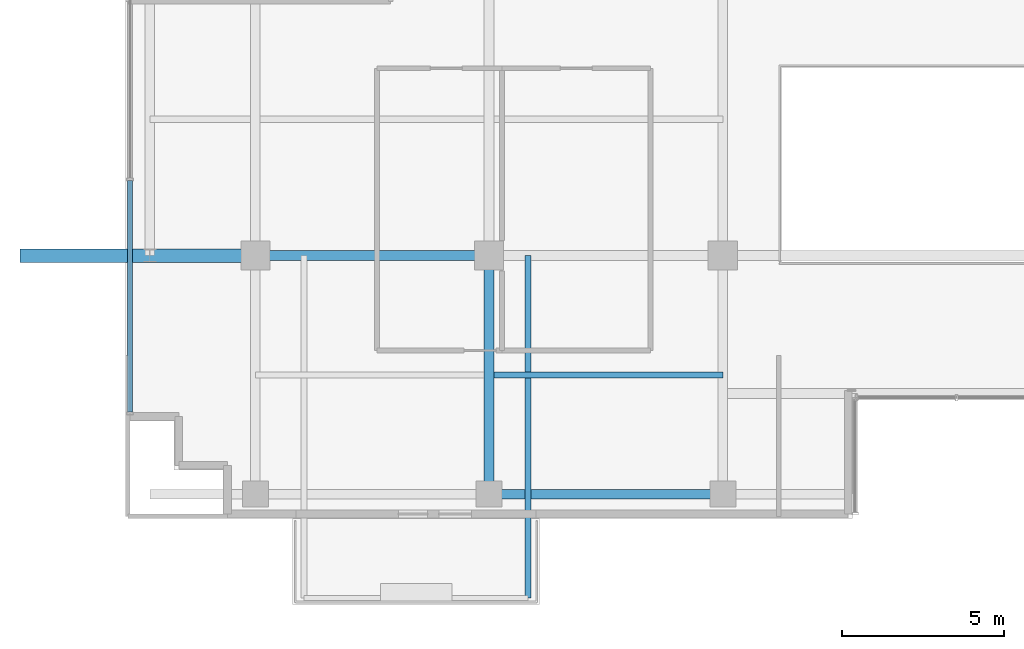
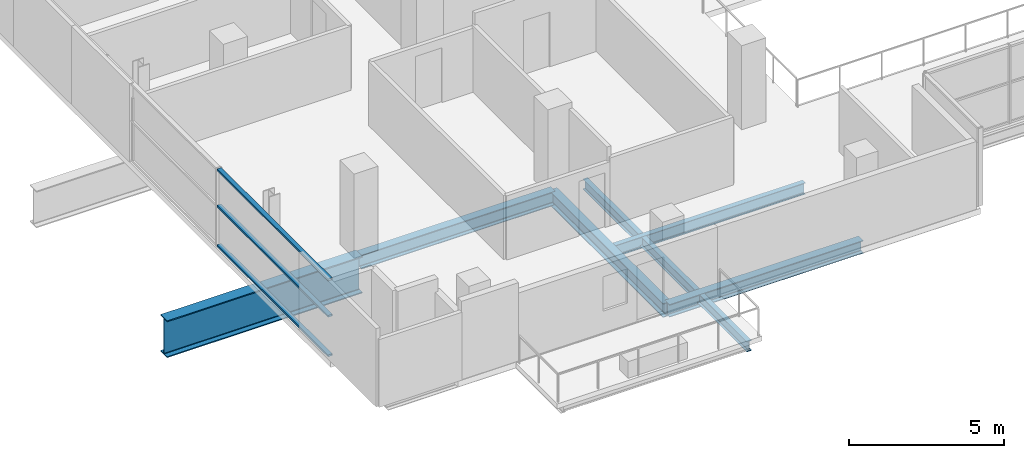
# One storey, part 3 of 27: 6 beams, 3 members, 1 element without a shape of its own.
"""IFC4 building model written with IfcOpenShell, lengths in metres."""

from ifc_helpers import new_model, si_unit, direction, frame, origin, origin_2d, place, context, subcontext, project, spatial, hollow_rectangle, i_section, extrude, source, transform, mapped, material, layer, layer_set, material_profile, profile_set, type_object, element, aggregate, save


model = new_model("IFC4")

# Units and contexts
model_context = context("Model", 3, precision=1e-05, world=origin(), true_north=direction((0.0, 1.0)))
body_context = subcontext(model_context, "Body", "Model", "MODEL_VIEW")
ifc_project = project(units=[si_unit("LENGTHUNIT", "METRE"), si_unit("AREAUNIT", "SQUARE_METRE"), si_unit("VOLUMEUNIT", "CUBIC_METRE"), si_unit("PLANEANGLEUNIT", "RADIAN"), si_unit("MASSUNIT", "GRAM", prefix="KILO")], contexts=[model_context])

# Site, building, storey
site_placement = place(None, origin())
site = spatial("IfcSite", under=ifc_project, at=site_placement, CompositionType="ELEMENT")
building_placement = place(site_placement, origin())
building = spatial("IfcBuilding", under=site, at=building_placement, Name="Zarnakvel Exchange Tower", CompositionType="ELEMENT")
storey_placement = place(building_placement, frame((0.0, 0.0, 113.199951171875)))
storey = spatial("IfcBuildingStorey", under=building, at=storey_placement, Name="L31", CompositionType="ELEMENT", Elevation=113.199951171875)

# Beams
ifc_material_1 = material(Name="Steel S355", Category="steel")
ifc_material_profile_1 = material_profile(ifc_material_1, i_section(OverallWidth=0.18994140625, OverallDepth=0.449951171875, WebThickness=0.009521484375, FlangeThickness=0.0146484375, FilletRadius=0.02099609375, at=origin_2d()))
ifc_profile_set_1 = profile_set([ifc_material_profile_1], Name="Steel S355")
beam_type_1 = type_object("IfcBeamType", Name="B-05", PredefinedType="JOIST", material=ifc_profile_set_1)
beam_1_placement = place(storey_placement, frame((-14.25, -13.27490234375, -0.449951171875), z_axis=(1.0, 0.0, 0.0), x_axis=(0.0, 1.0, 0.0)))
element("IfcBeam", 1, at=beam_1_placement, inside=storey, type_object=beam_type_1, Name="L31 Composite Floor Secondary Joist", PredefinedType="JOIST", context=body_context, shape_type="SweptSolid", body=[
    extrude(i_section(OverallWidth=0.18994140625, OverallDepth=0.449951171875, WebThickness=0.009521484375, FlangeThickness=0.0146484375, FilletRadius=0.02099609375, at=origin_2d()), origin(), (0.0, 0.0, 1.0), 7.050048828125),
])
ifc_material_profile_2 = material_profile(ifc_material_1, i_section(OverallWidth=0.179931640625, OverallDepth=0.39990234375, WebThickness=0.008544921875, FlangeThickness=0.013427734375, FilletRadius=0.02099609375, at=origin_2d()))
ifc_profile_set_2 = profile_set([ifc_material_profile_2], Name="Steel S355")
beam_type_2 = type_object("IfcBeamType", Name="B-06", PredefinedType="JOIST", material=ifc_profile_set_2)
beam_2_placement = place(storey_placement, frame((-13.199951171875, -9.60009765625, -0.425048828125), z_axis=(0.0, -1.0, 0.0), x_axis=(1.0, 0.0, 0.0)))
element("IfcBeam", 2, at=beam_2_placement, inside=storey, type_object=beam_type_2, Name="L31 Continuous Back-Spanned Balcony Beam E", PredefinedType="JOIST", context=body_context, shape_type="SweptSolid", body=[
    extrude(i_section(OverallWidth=0.179931640625, OverallDepth=0.39990234375, WebThickness=0.008544921875, FlangeThickness=0.013427734375, FilletRadius=0.02099609375, at=origin_2d()), origin(), (0.0, 0.0, 1.0), 10.5498046875),
])
ifc_material_profile_3 = material_profile(ifc_material_1, i_section(OverallWidth=0.300048828125, OverallDepth=0.550048828125, WebThickness=0.014892578125, FlangeThickness=0.029052734375, FilletRadius=0.027099609375, at=origin_2d()))
ifc_profile_set_3 = profile_set([ifc_material_profile_3], Name="Steel S355")
beam_type_3 = type_object("IfcBeamType", Name="G-05", PredefinedType="BEAM", material=ifc_profile_set_3)
beam_3_placement = place(storey_placement, frame((-21.60009765625, -9.60009765625, -0.5), z_axis=(1.0, 0.0, 0.0), x_axis=(0.0, 1.0, 0.0)))
element("IfcBeam", 3, at=beam_3_placement, inside=storey, type_object=beam_type_3, Name="L31 Tower E-W Frame Beam", PredefinedType="BEAM", context=body_context, shape_type="SweptSolid", body=[
    extrude(i_section(OverallWidth=0.300048828125, OverallDepth=0.550048828125, WebThickness=0.014892578125, FlangeThickness=0.029052734375, FilletRadius=0.027099609375, at=origin_2d()), origin(), (0.0, 0.0, 1.0), 7.2001953125),
])
beam_4_placement = place(storey_placement, frame((-14.39990234375, -16.949951171875, -0.5), z_axis=(0.0, 1.0, 0.0), x_axis=(-1.0, 0.0, 0.0)))
element("IfcBeam", 4, at=beam_4_placement, inside=storey, type_object=beam_type_3, Name="L31 Tower N-S Frame Beam", PredefinedType="BEAM", context=body_context, shape_type="SweptSolid", body=[
    extrude(i_section(OverallWidth=0.300048828125, OverallDepth=0.550048828125, WebThickness=0.014892578125, FlangeThickness=0.029052734375, FilletRadius=0.027099609375, at=origin_2d()), origin(), (0.0, 0.0, 1.0), 7.349853515625),
])
ifc_material_profile_4 = material_profile(ifc_material_1, i_section(OverallWidth=0.300048828125, OverallDepth=0.5, WebThickness=0.014404296875, FlangeThickness=0.028076171875, FilletRadius=0.027099609375, at=origin_2d()))
ifc_profile_set_4 = profile_set([ifc_material_profile_4], Name="Steel S355")
beam_type_4 = type_object("IfcBeamType", Name="SP-02", PredefinedType="SPANDREL", material=ifc_profile_set_4)
beam_5_placement = place(storey_placement, frame((-14.39990234375, -16.949951171875, -0.474853515625), z_axis=(1.0, 0.0, 0.0), x_axis=(0.0, 1.0, 0.0)))
element("IfcBeam", 5, at=beam_5_placement, inside=storey, type_object=beam_type_4, Name="L31 Tower E-W Frame Beam", PredefinedType="SPANDREL", context=body_context, shape_type="SweptSolid", body=[
    extrude(i_section(OverallWidth=0.300048828125, OverallDepth=0.5, WebThickness=0.014404296875, FlangeThickness=0.028076171875, FilletRadius=0.027099609375, at=origin_2d()), origin(), (0.0, 0.0, 1.0), 7.199951171875),
])
ifc_material_2 = material(Name="Steel S460", Category="steel")
ifc_material_profile_5 = material_profile(ifc_material_2, i_section(OverallWidth=0.419921875, OverallDepth=1.449951171875, WebThickness=0.02392578125, FlangeThickness=0.0400390625, FilletRadius=0.030029296875, at=origin_2d()))
ifc_profile_set_5 = profile_set([ifc_material_profile_5], Name="Steel S460")
beam_type_5 = type_object("IfcBeamType", Name="TG-01", PredefinedType="BEAM", material=ifc_profile_set_5)
beam_6_placement = place(storey_placement, frame((-28.85009765625, -9.60009765625, -0.949951171875), z_axis=(1.0, 0.0, 0.0), x_axis=(0.0, 1.0, 0.0)))
element("IfcBeam", 6, at=beam_6_placement, inside=storey, type_object=beam_type_5, Name="L31 Setback E-W Transfer Girder TW-C", PredefinedType="BEAM", context=body_context, shape_type="SweptSolid", body=[
    extrude(i_section(OverallWidth=0.419921875, OverallDepth=1.449951171875, WebThickness=0.02392578125, FlangeThickness=0.0400390625, FilletRadius=0.030029296875, at=origin_2d()), origin(), (0.0, 0.0, 1.0), 7.25),
])

# Curtain wall, members
ifc_material_3 = material(Name="Architectural Bronze Anodised Aluminium", Category="aluminium")
ifc_layer = layer(ifc_material_3, 0.199951171875)
ifc_layer_set = layer_set([ifc_layer], Name="Architectural Bronze Anodised Aluminium")
curtain_wall_type = type_object("IfcCurtainWallType", Name="CW-04", PredefinedType="NOTDEFINED", material=ifc_layer_set)
curtain_wall_placement = place(storey_placement, origin())
curtain_wall = element("IfcCurtainWall", 7, at=curtain_wall_placement, inside=storey, type_object=curtain_wall_type, Name="L31 Curtain Wall CW-L31-W1 (CW-04)", PredefinedType="NOTDEFINED")
ifc_material_profile_6 = material_profile(ifc_material_3, hollow_rectangle(XDim=0.159912109375, YDim=0.074951171875, WallThickness=0.00390625, at=origin_2d()))
ifc_profile_set_6 = profile_set([ifc_material_profile_6], Name="Architectural Bronze Anodised Aluminium")
member_type = type_object("IfcMemberType", Name="CWT-04", PredefinedType="USERDEFINED", material=ifc_profile_set_6)
shared_shape = source(origin(), body_context, "Body", "SweptSolid", [
    extrude(hollow_rectangle(XDim=0.159912109375, YDim=0.074951171875, WallThickness=0.00390625, at=origin_2d()), origin(), (0.0, 0.0, 1.0), 7.137451171875),
])
member_1_placement = place(storey_placement, frame((-25.4599609375, -14.425048828125, 0.03759765625), z_axis=(0.0, 1.0, 0.0), x_axis=(-1.0, 0.0, 0.0)))
member_1 = element("IfcMember", 8, at=member_1_placement, type_object=member_type, Name="CW-04 transom 1.1", ObjectType="TRANSOM", PredefinedType="USERDEFINED", context=body_context, shape_type="MappedRepresentation", body=[
    mapped(shared_shape, transform((0.0, 0.0, 0.0), x_axis=(1.0, 0.0, 0.0), y_axis=(0.0, 1.0, 0.0), z_axis=(0.0, 0.0, 1.0), scale=1.0)),
])
member_2_placement = place(storey_placement, frame((-25.4599609375, -14.425048828125, 1.588623046875), z_axis=(0.0, 1.0, 0.0), x_axis=(-1.0, 0.0, 0.0)))
member_2 = element("IfcMember", 9, at=member_2_placement, type_object=member_type, Name="CW-04 transom 1.2", ObjectType="TRANSOM", PredefinedType="USERDEFINED", context=body_context, shape_type="MappedRepresentation", body=[
    mapped(shared_shape, transform((0.0, 0.0, 0.0), x_axis=(1.0, 0.0, 0.0), y_axis=(0.0, 1.0, 0.0), z_axis=(0.0, 0.0, 1.0), scale=1.0)),
])
member_3_placement = place(storey_placement, frame((-25.4599609375, -14.425048828125, 3.017578125), z_axis=(0.0, 1.0, 0.0), x_axis=(-1.0, 0.0, 0.0)))
member_3 = element("IfcMember", 10, at=member_3_placement, type_object=member_type, Name="CW-04 transom 1.3", ObjectType="TRANSOM", PredefinedType="USERDEFINED", context=body_context, shape_type="MappedRepresentation", body=[
    mapped(shared_shape, transform((0.0, 0.0, 0.0), x_axis=(1.0, 0.0, 0.0), y_axis=(0.0, 1.0, 0.0), z_axis=(0.0, 0.0, 1.0), scale=1.0)),
])
aggregate(curtain_wall, [member_1, member_2, member_3])

save(model, "model.ifc")
